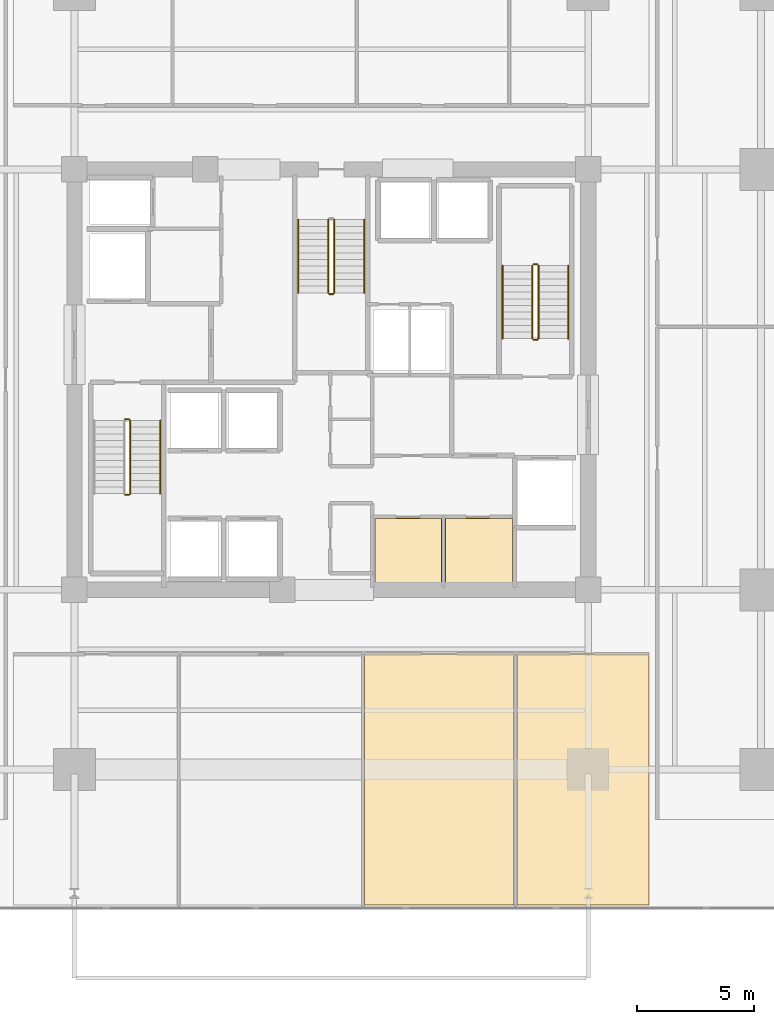
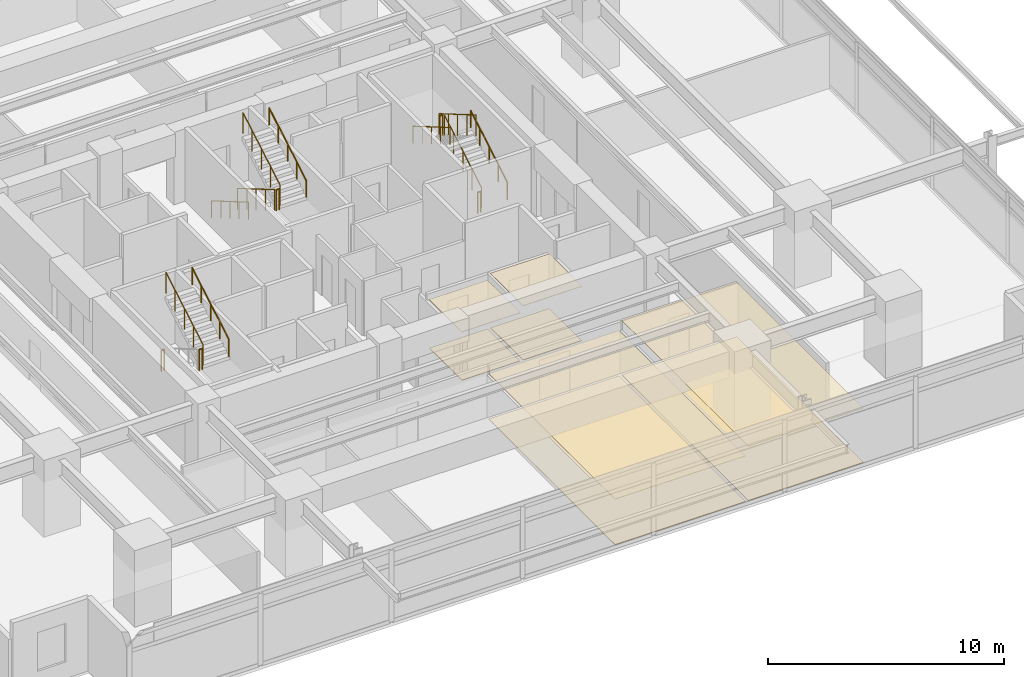
# One storey, part 17 of 19: 15 railings, 8 coverings.
"""IFC4 building model written with IfcOpenShell, lengths in metres."""

from ifc_helpers import new_model, si_unit, direction, frame, origin, origin_2d, place, context, subcontext, project, spatial, polyline, circle, outline, extrude, material, layer, layer_set, type_object, element, save


model = new_model("IFC4")

# Units and contexts
model_context = context("Model", 3, precision=1e-05, world=origin(), true_north=direction((0.0, 1.0)))
body_context = subcontext(model_context, "Body", "Model", "MODEL_VIEW")
ifc_project = project(units=[si_unit("LENGTHUNIT", "METRE"), si_unit("AREAUNIT", "SQUARE_METRE"), si_unit("VOLUMEUNIT", "CUBIC_METRE"), si_unit("PLANEANGLEUNIT", "RADIAN"), si_unit("MASSUNIT", "GRAM", prefix="KILO")], contexts=[model_context])

# Site, building, storey
site_placement = place(None, origin())
site = spatial("IfcSite", under=ifc_project, at=site_placement, CompositionType="ELEMENT")
building_placement = place(site_placement, origin())
building = spatial("IfcBuilding", under=site, at=building_placement, Name="Kovane Verandah Tower", CompositionType="ELEMENT")
storey_placement = place(building_placement, frame((0.0, 0.0, 83.60009765625)))
storey = spatial("IfcBuildingStorey", under=building, at=storey_placement, Name="L19", CompositionType="ELEMENT", Elevation=83.60009765625)

# Coverings
ifc_material_1 = material(Name="Perforated Acoustic Mineral-Fibre Ceiling Tile", Category="gypsum")
ifc_layer_1 = layer(ifc_material_1, 0.02490234375)
ifc_layer_set_1 = layer_set([ifc_layer_1], Name="Perforated Acoustic Mineral-Fibre Ceiling Tile")
covering_type_1 = type_object("IfcCoveringType", Name="CV-CEIL-25", PredefinedType="CEILING", material=ifc_layer_set_1)
covering_1_placement = place(storey_placement, frame((0.0, 0.0, 2.514892578125)))
element("IfcCovering", 1, at=covering_1_placement, inside=storey, type_object=covering_type_1, Name="L19 AV Control Room Acoustic Ceiling", PredefinedType="CEILING", context=body_context, shape_type="SweptSolid", body=[
    extrude(outline(polyline([(41.864990234375, 18.784912109375), (44.735107421875, 18.784912109375), (44.735107421875, 21.56494140625), (41.864990234375, 21.56494140625), (41.864990234375, 18.784912109375)])), origin(), (0.0, 0.0, 1.0), 0.02490234375),
])
covering_2_placement = place(storey_placement, frame((0.0, 0.0, 2.824951171875)))
element("IfcCovering", 2, at=covering_2_placement, inside=storey, type_object=covering_type_1, Name="L19 East IT Server Room Acoustic Ceiling", PredefinedType="CEILING", context=body_context, shape_type="SweptSolid", body=[
    extrude(outline(polyline([(44.864990234375, 18.784912109375), (47.764892578125, 18.784912109375), (47.764892578125, 21.56494140625), (44.864990234375, 21.56494140625), (44.864990234375, 18.784912109375)])), origin(), (0.0, 0.0, 1.0), 0.02490234375),
])
covering_3_placement = place(storey_placement, frame((0.0, 0.0, 2.364990234375)))
element("IfcCovering", 3, at=covering_3_placement, inside=storey, type_object=covering_type_1, Name="L19 Client Boardroom S3 Acoustic Ceiling", PredefinedType="CEILING", context=body_context, shape_type="SweptSolid", body=[
    extrude(outline(polyline([(41.429931640625, 5.0107421875), (47.818115234375, 5.0107421875), (47.818115234375, 15.75), (41.429931640625, 15.75), (41.429931640625, 5.0107421875)])), origin(), (0.0, 0.0, 1.0), 0.02490234375),
])
covering_4_placement = place(storey_placement, frame((0.0, 0.0, 2.824951171875)))
element("IfcCovering", 4, at=covering_4_placement, inside=storey, type_object=covering_type_1, Name="L19 Meeting Room S4 Acoustic Ceiling", PredefinedType="CEILING", context=body_context, shape_type="SweptSolid", body=[
    extrude(outline(polyline([(47.9580078125, 5.0107421875), (53.60009765625, 5.0107421875), (53.60009765625, 15.75), (47.9580078125, 15.75), (47.9580078125, 5.0107421875)])), origin(), (0.0, 0.0, 1.0), 0.02490234375),
])
ifc_material_2 = material(Name="Polished Terrazzo and Raised-Access Carpet Tile Finish", Category="concrete")
ifc_layer_2 = layer(ifc_material_2, 0.030029296875)
ifc_layer_set_2 = layer_set([ifc_layer_2], Name="Polished Terrazzo and Raised-Access Carpet Tile Finish")
covering_type_2 = type_object("IfcCoveringType", Name="CV-FLOR-30", PredefinedType="FLOORING", material=ifc_layer_set_2)
covering_5_placement = place(storey_placement, origin())
element("IfcCovering", 5, at=covering_5_placement, inside=storey, type_object=covering_type_2, Name="L19 AV Control Room Floor Finish", PredefinedType="FLOORING", context=body_context, shape_type="SweptSolid", body=[
    extrude(outline(polyline([(41.8798828125, 18.800048828125), (44.719970703125, 18.800048828125), (44.719970703125, 21.550048828125), (41.8798828125, 21.550048828125), (41.8798828125, 18.800048828125)])), origin(), (0.0, 0.0, 1.0), 0.02978515625),
])
covering_6_placement = place(storey_placement, origin())
element("IfcCovering", 6, at=covering_6_placement, inside=storey, type_object=covering_type_2, Name="L19 East IT Server Room Floor Finish", PredefinedType="FLOORING", context=body_context, shape_type="SweptSolid", body=[
    extrude(outline(polyline([(44.8798828125, 18.800048828125), (47.75, 18.800048828125), (47.75, 21.550048828125), (44.8798828125, 21.550048828125), (44.8798828125, 18.800048828125)])), origin(), (0.0, 0.0, 1.0), 0.02978515625),
])
covering_7_placement = place(storey_placement, origin())
element("IfcCovering", 7, at=covering_7_placement, inside=storey, type_object=covering_type_2, Name="L19 Client Boardroom S3 Floor Finish", PredefinedType="FLOORING", context=body_context, shape_type="SweptSolid", body=[
    extrude(outline(polyline([(41.429931640625, 5.0107421875), (47.818115234375, 5.0107421875), (47.818115234375, 15.75), (41.429931640625, 15.75), (41.429931640625, 5.0107421875)])), origin(), (0.0, 0.0, 1.0), 0.02978515625),
])
covering_8_placement = place(storey_placement, origin())
element("IfcCovering", 8, at=covering_8_placement, inside=storey, type_object=covering_type_2, Name="L19 Meeting Room S4 Floor Finish", PredefinedType="FLOORING", context=body_context, shape_type="SweptSolid", body=[
    extrude(outline(polyline([(47.9580078125, 5.0107421875), (53.60009765625, 5.0107421875), (53.60009765625, 15.75), (47.9580078125, 15.75), (47.9580078125, 5.0107421875)])), origin(), (0.0, 0.0, 1.0), 0.02978515625),
])

# Railings
ifc_material_3 = material(Name="Brushed Stainless Steel Handrail", Category="steel")
railing_type_1 = type_object("IfcRailingType", Name="RL-HAND-920", PredefinedType="HANDRAIL", material=ifc_material_3)
for number, where, name in (
    (9, (32.669921875, 22.614990234375, 2.16650390625), "L19 ST-01 stair handrail 2"),
    (10, (50.14990234375, 29.25, 0.16650390625), "L19 ST-02 stair handrail 1"),
):
    element("IfcRailing", number, at=place(storey_placement, frame(where)), inside=storey, type_object=railing_type_1, Name=name, PredefinedType="HANDRAIL", context=body_context, shape_type="SweptSolid", body=[
        extrude(circle(Radius=0.02392578125, at=origin_2d()), frame((0.0, 0.0, 0.8759765625), z_axis=(0.0, 0.863210265497, 0.504844567704), x_axis=(-1.0, 0.0, 0.0)), (0.0, 0.0, 1.0), 3.6318359375),
        extrude(circle(Radius=0.02099609375, at=origin_2d()), origin(), (0.0, 0.0, 1.0), 0.851806640625),
        extrude(circle(Radius=0.02099609375, at=origin_2d()), frame((0.0, 0.78369140625, 0.45849609375)), (0.0, 0.0, 1.0), 0.851806640625),
        extrude(circle(Radius=0.02099609375, at=origin_2d()), frame((0.0, 1.5673828125, 0.916748046875)), (0.0, 0.0, 1.0), 0.851806640625),
        extrude(circle(Radius=0.02099609375, at=origin_2d()), frame((0.0, 2.351318359375, 1.375)), (0.0, 0.0, 1.0), 0.851806640625),
        extrude(circle(Radius=0.02099609375, at=origin_2d()), frame((0.0, 3.135009765625, 1.83349609375)), (0.0, 0.0, 1.0), 0.851806640625),
    ])
for number, where, name in (
    (11, (47.330078125, 32.385009765625, 2.16650390625), "L19 ST-02 stair handrail 2"),
    (12, (38.590087890625, 34.35009765625, 0.16650390625), "L19 ST-03 stair handrail 1"),
):
    element("IfcRailing", number, at=place(storey_placement, frame(where)), inside=storey, type_object=railing_type_1, Name=name, PredefinedType="HANDRAIL", context=body_context, shape_type="SweptSolid", body=[
        extrude(circle(Radius=0.02392578125, at=origin_2d()), frame((0.0, 0.0, 0.8759765625), z_axis=(0.0, -0.863210265497, 0.504844567704), x_axis=(1.0, 0.0, 0.0)), (0.0, 0.0, 1.0), 3.6318359375),
        extrude(circle(Radius=0.02099609375, at=origin_2d()), origin(), (0.0, 0.0, 1.0), 0.851806640625),
        extrude(circle(Radius=0.02099609375, at=origin_2d()), frame((0.0, -0.78369140625, 0.45849609375)), (0.0, 0.0, 1.0), 0.851806640625),
        extrude(circle(Radius=0.02099609375, at=origin_2d()), frame((0.0, -1.5673828125, 0.916748046875)), (0.0, 0.0, 1.0), 0.851806640625),
        extrude(circle(Radius=0.02099609375, at=origin_2d()), frame((0.0, -2.351318359375, 1.375)), (0.0, 0.0, 1.0), 0.851806640625),
        extrude(circle(Radius=0.02099609375, at=origin_2d()), frame((0.0, -3.135009765625, 1.83349609375)), (0.0, 0.0, 1.0), 0.851806640625),
    ])
railing_1_placement = place(storey_placement, frame((41.409912109375, 31.215087890625, 2.16650390625)))
element("IfcRailing", 13, at=railing_1_placement, inside=storey, type_object=railing_type_1, Name="L19 ST-03 stair handrail 2", PredefinedType="HANDRAIL", context=body_context, shape_type="SweptSolid", body=[
    extrude(circle(Radius=0.02392578125, at=origin_2d()), frame((0.0, 0.0, 0.8759765625), z_axis=(0.0, 0.863210265497, 0.504844567704), x_axis=(-1.0, 0.0, 0.0)), (0.0, 0.0, 1.0), 3.6318359375),
    extrude(circle(Radius=0.02099609375, at=origin_2d()), origin(), (0.0, 0.0, 1.0), 0.851806640625),
    extrude(circle(Radius=0.02099609375, at=origin_2d()), frame((0.0, 0.78369140625, 0.45849609375)), (0.0, 0.0, 1.0), 0.851806640625),
    extrude(circle(Radius=0.02099609375, at=origin_2d()), frame((0.0, 1.5673828125, 0.916748046875)), (0.0, 0.0, 1.0), 0.851806640625),
    extrude(circle(Radius=0.02099609375, at=origin_2d()), frame((0.0, 2.351318359375, 1.375)), (0.0, 0.0, 1.0), 0.851806640625),
    extrude(circle(Radius=0.02099609375, at=origin_2d()), frame((0.0, 3.135009765625, 1.83349609375)), (0.0, 0.0, 1.0), 0.851806640625),
])
ifc_material_4 = material(Name="Painted Steel Stairwell Guardrail", Category="steel")
railing_type_2 = type_object("IfcRailingType", Name="RL-STGUARD-1120", PredefinedType="GUARDRAIL", material=ifc_material_4)
railing_2_placement = place(storey_placement, frame((31.179931640625, 22.56494140625, 2.0)))
element("IfcRailing", 14, at=railing_2_placement, inside=storey, type_object=railing_type_2, Name="L19 ST-01 stair guard 2", PredefinedType="GUARDRAIL", context=body_context, shape_type="SweptSolid", body=[
    extrude(circle(Radius=0.02392578125, at=origin_2d()), frame((0.0, 0.0, 1.076171875), z_axis=(1.0, 0.0, 0.0), x_axis=(0.0, 1.0, 0.0)), (0.0, 0.0, 1.0), 0.16015625),
    extrude(circle(Radius=0.02099609375, at=origin_2d()), origin(), (0.0, 0.0, 1.0), 1.052001953125),
    extrude(circle(Radius=0.02099609375, at=origin_2d()), frame((0.16015625, 0.0, 0.0)), (0.0, 0.0, 1.0), 1.052001953125),
])
railing_3_placement = place(storey_placement, frame((31.389892578125, 22.614990234375, 2.16650390625)))
element("IfcRailing", 15, at=railing_3_placement, inside=storey, type_object=railing_type_2, Name="L19 ST-01 stair guard 3", PredefinedType="GUARDRAIL", context=body_context, shape_type="SweptSolid", body=[
    extrude(circle(Radius=0.02392578125, at=origin_2d()), frame((0.0, 0.0, 1.076171875), z_axis=(0.0, 0.863210265497, 0.504844567704), x_axis=(-1.0, 0.0, 0.0)), (0.0, 0.0, 1.0), 3.6318359375),
    extrude(circle(Radius=0.02099609375, at=origin_2d()), origin(), (0.0, 0.0, 1.0), 1.052001953125),
    extrude(circle(Radius=0.02099609375, at=origin_2d()), frame((0.0, 0.78369140625, 0.45849609375)), (0.0, 0.0, 1.0), 1.052001953125),
    extrude(circle(Radius=0.02099609375, at=origin_2d()), frame((0.0, 1.5673828125, 0.916748046875)), (0.0, 0.0, 1.0), 1.052001953125),
    extrude(circle(Radius=0.02099609375, at=origin_2d()), frame((0.0, 2.351318359375, 1.375)), (0.0, 0.0, 1.0), 1.052001953125),
    extrude(circle(Radius=0.02099609375, at=origin_2d()), frame((0.0, 3.135009765625, 1.83349609375)), (0.0, 0.0, 1.0), 1.052001953125),
])
railing_4_placement = place(storey_placement, frame((31.179931640625, 25.800048828125, 0.0)))
element("IfcRailing", 16, at=railing_4_placement, inside=storey, type_object=railing_type_2, Name="L19 ST-01 stair guard 4", PredefinedType="GUARDRAIL", context=body_context, shape_type="SweptSolid", body=[
    extrude(circle(Radius=0.02392578125, at=origin_2d()), frame((0.0, 0.0, 1.076171875), z_axis=(1.0, 0.0, 0.0), x_axis=(0.0, 1.0, 0.0)), (0.0, 0.0, 1.0), 0.16015625),
    extrude(circle(Radius=0.02099609375, at=origin_2d()), origin(), (0.0, 0.0, 1.0), 1.052001953125),
    extrude(circle(Radius=0.02099609375, at=origin_2d()), frame((0.16015625, 0.0, 0.0)), (0.0, 0.0, 1.0), 1.052001953125),
])
railing_5_placement = place(storey_placement, frame((48.8701171875, 29.25, 0.16650390625)))
element("IfcRailing", 17, at=railing_5_placement, inside=storey, type_object=railing_type_2, Name="L19 ST-02 stair guard 1", PredefinedType="GUARDRAIL", context=body_context, shape_type="SweptSolid", body=[
    extrude(circle(Radius=0.02392578125, at=origin_2d()), frame((0.0, 0.0, 1.076171875), z_axis=(0.0, 0.863210265497, 0.504844567704), x_axis=(-1.0, 0.0, 0.0)), (0.0, 0.0, 1.0), 3.6318359375),
    extrude(circle(Radius=0.02099609375, at=origin_2d()), origin(), (0.0, 0.0, 1.0), 1.052001953125),
    extrude(circle(Radius=0.02099609375, at=origin_2d()), frame((0.0, 0.78369140625, 0.45849609375)), (0.0, 0.0, 1.0), 1.052001953125),
    extrude(circle(Radius=0.02099609375, at=origin_2d()), frame((0.0, 1.5673828125, 0.916748046875)), (0.0, 0.0, 1.0), 1.052001953125),
    extrude(circle(Radius=0.02099609375, at=origin_2d()), frame((0.0, 2.351318359375, 1.375)), (0.0, 0.0, 1.0), 1.052001953125),
    extrude(circle(Radius=0.02099609375, at=origin_2d()), frame((0.0, 3.135009765625, 1.83349609375)), (0.0, 0.0, 1.0), 1.052001953125),
])
railing_6_placement = place(storey_placement, frame((48.820068359375, 32.43505859375, 2.0)))
element("IfcRailing", 18, at=railing_6_placement, inside=storey, type_object=railing_type_2, Name="L19 ST-02 stair guard 2", PredefinedType="GUARDRAIL", context=body_context, shape_type="SweptSolid", body=[
    extrude(circle(Radius=0.02392578125, at=origin_2d()), frame((0.0, 0.0, 1.076171875), z_axis=(-1.0, 0.0, 0.0), x_axis=(0.0, -1.0, 0.0)), (0.0, 0.0, 1.0), 0.16015625),
    extrude(circle(Radius=0.02099609375, at=origin_2d()), origin(), (0.0, 0.0, 1.0), 1.052001953125),
    extrude(circle(Radius=0.02099609375, at=origin_2d()), frame((-0.16015625, 0.0, 0.0)), (0.0, 0.0, 1.0), 1.052001953125),
])
railing_7_placement = place(storey_placement, frame((48.610107421875, 32.385009765625, 2.16650390625)))
element("IfcRailing", 19, at=railing_7_placement, inside=storey, type_object=railing_type_2, Name="L19 ST-02 stair guard 3", PredefinedType="GUARDRAIL", context=body_context, shape_type="SweptSolid", body=[
    extrude(circle(Radius=0.02392578125, at=origin_2d()), frame((0.0, 0.0, 1.076171875), z_axis=(0.0, -0.863210265497, 0.504844567704), x_axis=(1.0, 0.0, 0.0)), (0.0, 0.0, 1.0), 3.6318359375),
    extrude(circle(Radius=0.02099609375, at=origin_2d()), origin(), (0.0, 0.0, 1.0), 1.052001953125),
    extrude(circle(Radius=0.02099609375, at=origin_2d()), frame((0.0, -0.78369140625, 0.45849609375)), (0.0, 0.0, 1.0), 1.052001953125),
    extrude(circle(Radius=0.02099609375, at=origin_2d()), frame((0.0, -1.5673828125, 0.916748046875)), (0.0, 0.0, 1.0), 1.052001953125),
    extrude(circle(Radius=0.02099609375, at=origin_2d()), frame((0.0, -2.351318359375, 1.375)), (0.0, 0.0, 1.0), 1.052001953125),
    extrude(circle(Radius=0.02099609375, at=origin_2d()), frame((0.0, -3.135009765625, 1.83349609375)), (0.0, 0.0, 1.0), 1.052001953125),
])
railing_8_placement = place(storey_placement, frame((48.820068359375, 29.199951171875, 0.0)))
element("IfcRailing", 20, at=railing_8_placement, inside=storey, type_object=railing_type_2, Name="L19 ST-02 stair guard 4", PredefinedType="GUARDRAIL", context=body_context, shape_type="SweptSolid", body=[
    extrude(circle(Radius=0.02392578125, at=origin_2d()), frame((0.0, 0.0, 1.076171875), z_axis=(-1.0, 0.0, 0.0), x_axis=(0.0, -1.0, 0.0)), (0.0, 0.0, 1.0), 0.16015625),
    extrude(circle(Radius=0.02099609375, at=origin_2d()), origin(), (0.0, 0.0, 1.0), 1.052001953125),
    extrude(circle(Radius=0.02099609375, at=origin_2d()), frame((-0.16015625, 0.0, 0.0)), (0.0, 0.0, 1.0), 1.052001953125),
])
railing_9_placement = place(storey_placement, frame((39.8701171875, 34.35009765625, 0.16650390625)))
element("IfcRailing", 21, at=railing_9_placement, inside=storey, type_object=railing_type_2, Name="L19 ST-03 stair guard 1", PredefinedType="GUARDRAIL", context=body_context, shape_type="SweptSolid", body=[
    extrude(circle(Radius=0.02392578125, at=origin_2d()), frame((0.0, 0.0, 1.076171875), z_axis=(0.0, -0.863210265497, 0.504844567704), x_axis=(1.0, 0.0, 0.0)), (0.0, 0.0, 1.0), 3.6318359375),
    extrude(circle(Radius=0.02099609375, at=origin_2d()), origin(), (0.0, 0.0, 1.0), 1.052001953125),
    extrude(circle(Radius=0.02099609375, at=origin_2d()), frame((0.0, -0.78369140625, 0.45849609375)), (0.0, 0.0, 1.0), 1.052001953125),
    extrude(circle(Radius=0.02099609375, at=origin_2d()), frame((0.0, -1.5673828125, 0.916748046875)), (0.0, 0.0, 1.0), 1.052001953125),
    extrude(circle(Radius=0.02099609375, at=origin_2d()), frame((0.0, -2.351318359375, 1.375)), (0.0, 0.0, 1.0), 1.052001953125),
    extrude(circle(Radius=0.02099609375, at=origin_2d()), frame((0.0, -3.135009765625, 1.83349609375)), (0.0, 0.0, 1.0), 1.052001953125),
])
railing_10_placement = place(storey_placement, frame((39.919921875, 31.1650390625, 2.0)))
element("IfcRailing", 22, at=railing_10_placement, inside=storey, type_object=railing_type_2, Name="L19 ST-03 stair guard 2", PredefinedType="GUARDRAIL", context=body_context, shape_type="SweptSolid", body=[
    extrude(circle(Radius=0.02392578125, at=origin_2d()), frame((0.0, 0.0, 1.076171875), z_axis=(1.0, 0.0, 0.0), x_axis=(0.0, 1.0, 0.0)), (0.0, 0.0, 1.0), 0.16015625),
    extrude(circle(Radius=0.02099609375, at=origin_2d()), origin(), (0.0, 0.0, 1.0), 1.052001953125),
    extrude(circle(Radius=0.02099609375, at=origin_2d()), frame((0.16015625, 0.0, 0.0)), (0.0, 0.0, 1.0), 1.052001953125),
])
railing_11_placement = place(storey_placement, frame((40.1298828125, 31.215087890625, 2.16650390625)))
element("IfcRailing", 23, at=railing_11_placement, inside=storey, type_object=railing_type_2, Name="L19 ST-03 stair guard 3", PredefinedType="GUARDRAIL", context=body_context, shape_type="SweptSolid", body=[
    extrude(circle(Radius=0.02392578125, at=origin_2d()), frame((0.0, 0.0, 1.076171875), z_axis=(0.0, 0.863210265497, 0.504844567704), x_axis=(-1.0, 0.0, 0.0)), (0.0, 0.0, 1.0), 3.6318359375),
    extrude(circle(Radius=0.02099609375, at=origin_2d()), origin(), (0.0, 0.0, 1.0), 1.052001953125),
    extrude(circle(Radius=0.02099609375, at=origin_2d()), frame((0.0, 0.78369140625, 0.45849609375)), (0.0, 0.0, 1.0), 1.052001953125),
    extrude(circle(Radius=0.02099609375, at=origin_2d()), frame((0.0, 1.5673828125, 0.916748046875)), (0.0, 0.0, 1.0), 1.052001953125),
    extrude(circle(Radius=0.02099609375, at=origin_2d()), frame((0.0, 2.351318359375, 1.375)), (0.0, 0.0, 1.0), 1.052001953125),
    extrude(circle(Radius=0.02099609375, at=origin_2d()), frame((0.0, 3.135009765625, 1.83349609375)), (0.0, 0.0, 1.0), 1.052001953125),
])

save(model, "model.ifc")
